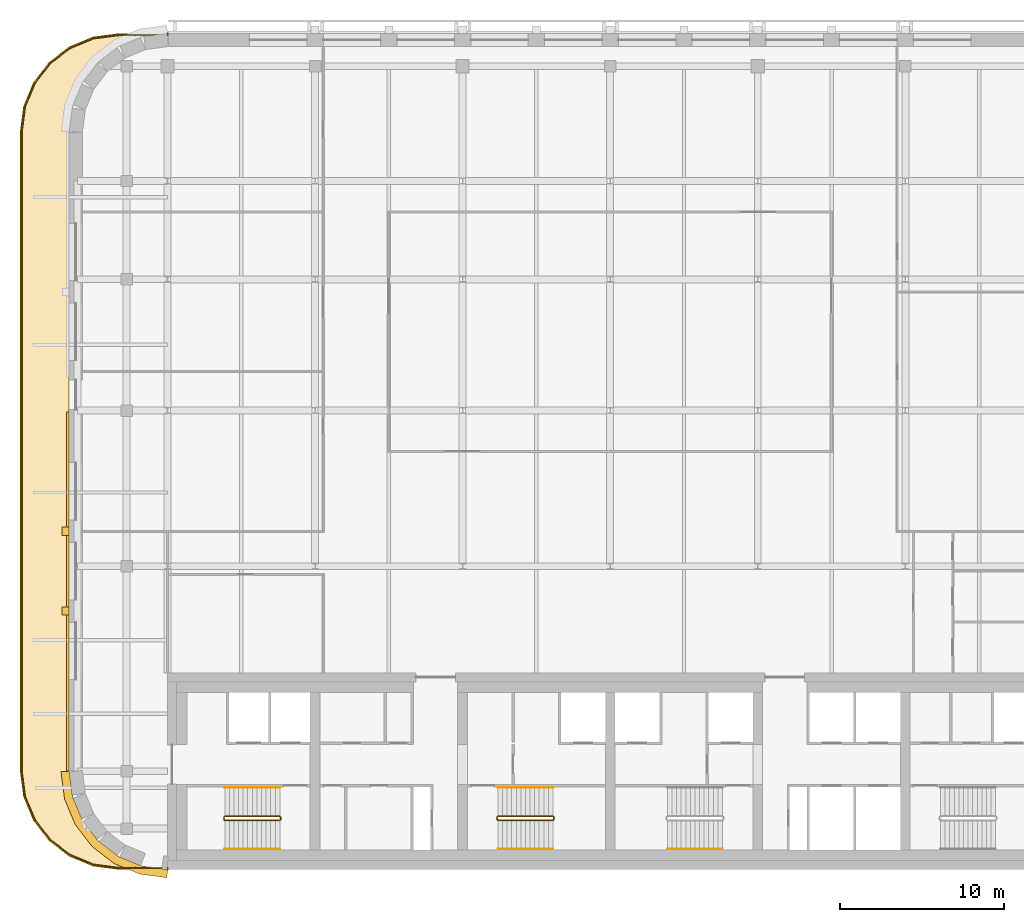
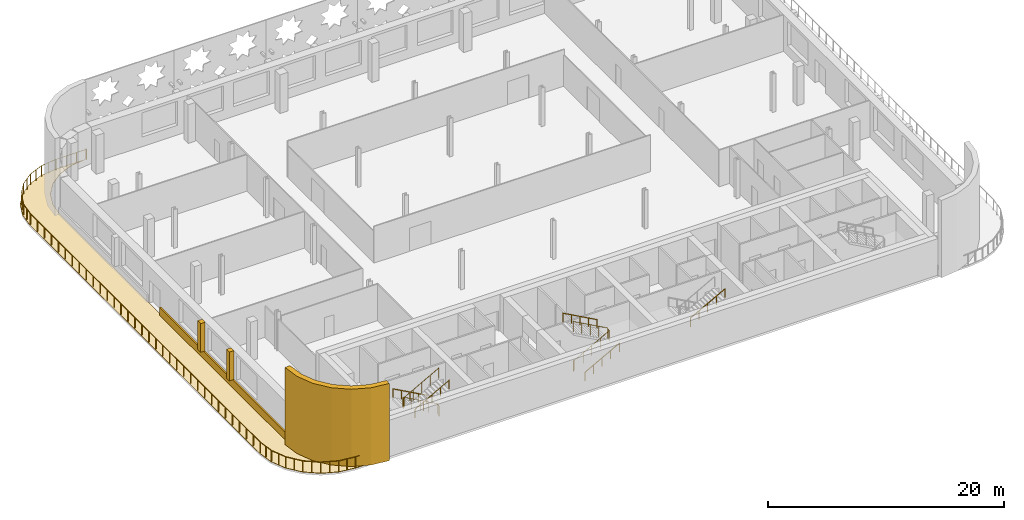
# One storey, part 12 of 15: 8 railings, 5 coverings.
"""IFC4 building model written with IfcOpenShell, lengths in metres."""

from ifc_helpers import new_model, si_unit, direction, frame, origin, origin_2d, place, context, subcontext, project, spatial, polyline, circle, outline, extrude, material, layer, layer_set, type_object, element, save


model = new_model("IFC4")

# Units and contexts
model_context = context("Model", 3, precision=1e-05, world=origin(), true_north=direction((0.0, 1.0)))
body_context = subcontext(model_context, "Body", "Model", "MODEL_VIEW")
ifc_project = project(units=[si_unit("LENGTHUNIT", "METRE"), si_unit("AREAUNIT", "SQUARE_METRE"), si_unit("VOLUMEUNIT", "CUBIC_METRE"), si_unit("PLANEANGLEUNIT", "RADIAN"), si_unit("MASSUNIT", "GRAM", prefix="KILO")], contexts=[model_context])

# Site, building, storey
site_placement = place(None, origin())
site = spatial("IfcSite", under=ifc_project, at=site_placement, CompositionType="ELEMENT")
building_placement = place(site_placement, origin())
building = spatial("IfcBuilding", under=site, at=building_placement, Name="Zellij Exchange Tower", CompositionType="ELEMENT")
storey_placement = place(building_placement, frame((0.0, 0.0, 284.5)))
storey = spatial("IfcBuildingStorey", under=building, at=storey_placement, Name="L67", CompositionType="ELEMENT", Elevation=284.5)

# Railings
ifc_material_1 = material(Name="Stainless steel", Category="steel")
railing_type_1 = type_object("IfcRailingType", Name="CORE-RG stair guard", PredefinedType="GUARDRAIL", material=ifc_material_1)
railing_1_placement = place(storey_placement, frame((-20.10009765625, -10.800048828125, 0.0)))
element("IfcRailing", 1, at=railing_1_placement, inside=storey, type_object=railing_type_1, Name="ST1 stair guard L67", PredefinedType="GUARDRAIL", context=body_context, shape_type="SweptSolid", body=[
    extrude(circle(Radius=0.02392578125, at=origin_2d()), frame((0.0, 0.0, 1.076171875), z_axis=(0.0, -1.0, 0.0), x_axis=(1.0, 0.0, 0.0)), (0.0, 0.0, 1.0), 0.14990234375),
    extrude(circle(Radius=0.02392578125, at=origin_2d()), frame((0.0, -0.14990234375, 1.076171875), z_axis=(-0.193691321961, 0.777613689637, 0.598164376644), x_axis=(-0.970351222016, -0.241699205484, 0.0)), (0.0, 0.0, 1.0), 0.257080078125),
    extrude(circle(Radius=0.02392578125, at=origin_2d()), frame((-0.0498046875, 0.050048828125, 1.22998046875), z_axis=(-0.876421534553, 0.0, 0.481544695509), x_axis=(0.0, -1.0, 0.0)), (0.0, 0.0, 1.0), 3.833984375),
    extrude(circle(Radius=0.02392578125, at=origin_2d()), frame((-3.409912109375, 0.050048828125, 3.076171875), z_axis=(-0.707106781187, -0.707106781187, 0.0), x_axis=(0.707106781187, -0.707106781187, 0.0)), (0.0, 0.0, 1.0), 0.07080078125),
    extrude(circle(Radius=0.02392578125, at=origin_2d()), frame((-3.4599609375, 0.0, 3.076171875), z_axis=(0.0, -1.0, 0.0), x_axis=(1.0, 0.0, 0.0)), (0.0, 0.0, 1.0), 0.14990234375),
    extrude(circle(Radius=0.02392578125, at=origin_2d()), frame((-3.4599609375, -0.14990234375, 3.076171875), z_axis=(0.295599637079, -0.295599637079, 0.908428152975), x_axis=(0.707106781187, 0.707106781187, 0.0)), (0.0, 0.0, 1.0), 0.16943359375),
    extrude(circle(Radius=0.02392578125, at=origin_2d()), frame((-3.409912109375, -0.199951171875, 3.22998046875), z_axis=(0.876421534553, 0.0, 0.481544695509), x_axis=(0.0, 1.0, 0.0)), (0.0, 0.0, 1.0), 3.833984375),
    extrude(circle(Radius=0.02099609375, at=origin_2d()), origin(), (0.0, 0.0, 1.0), 1.052001953125),
    extrude(circle(Radius=0.02099609375, at=origin_2d()), frame((0.0, -0.14990234375, 0.0)), (0.0, 0.0, 1.0), 1.052001953125),
    extrude(circle(Radius=0.02099609375, at=origin_2d()), frame((-0.0498046875, 0.050048828125, 0.15380859375)), (0.0, 0.0, 1.0), 1.052001953125),
    extrude(circle(Radius=0.02099609375, at=origin_2d()), frame((-0.889892578125, 0.050048828125, 0.615234375)), (0.0, 0.0, 1.0), 1.052001953125),
    extrude(circle(Radius=0.02099609375, at=origin_2d()), frame((-1.72998046875, 0.050048828125, 1.076904296875)), (0.0, 0.0, 1.0), 1.052001953125),
    extrude(circle(Radius=0.02099609375, at=origin_2d()), frame((-2.56982421875, 0.050048828125, 1.53857421875)), (0.0, 0.0, 1.0), 1.052001953125),
    extrude(circle(Radius=0.02099609375, at=origin_2d()), frame((-3.409912109375, 0.050048828125, 2.0)), (0.0, 0.0, 1.0), 1.052001953125),
    extrude(circle(Radius=0.02099609375, at=origin_2d()), frame((-3.4599609375, 0.0, 2.0)), (0.0, 0.0, 1.0), 1.052001953125),
    extrude(circle(Radius=0.02099609375, at=origin_2d()), frame((-3.4599609375, -0.14990234375, 2.0)), (0.0, 0.0, 1.0), 1.052001953125),
    extrude(circle(Radius=0.02099609375, at=origin_2d()), frame((-3.409912109375, -0.199951171875, 2.15380859375)), (0.0, 0.0, 1.0), 1.052001953125),
    extrude(circle(Radius=0.02099609375, at=origin_2d()), frame((-2.56982421875, -0.199951171875, 2.615234375)), (0.0, 0.0, 1.0), 1.052001953125),
    extrude(circle(Radius=0.02099609375, at=origin_2d()), frame((-1.72998046875, -0.199951171875, 3.076904296875)), (0.0, 0.0, 1.0), 1.052001953125),
    extrude(circle(Radius=0.02099609375, at=origin_2d()), frame((-0.889892578125, -0.199951171875, 3.53857421875)), (0.0, 0.0, 1.0), 1.052001953125),
    extrude(circle(Radius=0.02099609375, at=origin_2d()), frame((-0.0498046875, -0.199951171875, 4.0)), (0.0, 0.0, 1.0), 1.052001953125),
])
railing_2_placement = place(storey_placement, frame((-6.89990234375, -10.949951171875, 0.0)))
element("IfcRailing", 2, at=railing_2_placement, inside=storey, type_object=railing_type_1, Name="ST2 stair guard L67", PredefinedType="GUARDRAIL", context=body_context, shape_type="SweptSolid", body=[
    extrude(circle(Radius=0.02392578125, at=origin_2d()), frame((0.0, 0.0, 1.076171875), z_axis=(0.0, 1.0, 0.0), x_axis=(-1.0, 0.0, 0.0)), (0.0, 0.0, 1.0), 0.14990234375),
    extrude(circle(Radius=0.02392578125, at=origin_2d()), frame((0.0, 0.14990234375, 1.076171875), z_axis=(0.193691321961, -0.777613689637, 0.598164376644), x_axis=(0.970351222016, 0.241699205484, 0.0)), (0.0, 0.0, 1.0), 0.257080078125),
    extrude(circle(Radius=0.02392578125, at=origin_2d()), frame((0.0498046875, -0.050048828125, 1.22998046875), z_axis=(0.876421534553, 0.0, 0.481544695509), x_axis=(0.0, 1.0, 0.0)), (0.0, 0.0, 1.0), 3.833984375),
    extrude(circle(Radius=0.02392578125, at=origin_2d()), frame((3.409912109375, -0.050048828125, 3.076171875), z_axis=(0.707106781187, 0.707106781187, 0.0), x_axis=(-0.707106781187, 0.707106781187, 0.0)), (0.0, 0.0, 1.0), 0.07080078125),
    extrude(circle(Radius=0.02392578125, at=origin_2d()), frame((3.4599609375, 0.0, 3.076171875), z_axis=(0.0, 1.0, 0.0), x_axis=(-1.0, 0.0, 0.0)), (0.0, 0.0, 1.0), 0.14990234375),
    extrude(circle(Radius=0.02392578125, at=origin_2d()), frame((3.4599609375, 0.14990234375, 3.076171875), z_axis=(-0.295599637079, 0.295599637079, 0.908428152975), x_axis=(-0.707106781187, -0.707106781187, 0.0)), (0.0, 0.0, 1.0), 0.16943359375),
    extrude(circle(Radius=0.02392578125, at=origin_2d()), frame((3.409912109375, 0.199951171875, 3.22998046875), z_axis=(-0.876421534553, 0.0, 0.481544695509), x_axis=(0.0, -1.0, 0.0)), (0.0, 0.0, 1.0), 3.833984375),
    extrude(circle(Radius=0.02099609375, at=origin_2d()), origin(), (0.0, 0.0, 1.0), 1.052001953125),
    extrude(circle(Radius=0.02099609375, at=origin_2d()), frame((0.0, 0.14990234375, 0.0)), (0.0, 0.0, 1.0), 1.052001953125),
    extrude(circle(Radius=0.02099609375, at=origin_2d()), frame((0.0498046875, -0.050048828125, 0.15380859375)), (0.0, 0.0, 1.0), 1.052001953125),
    extrude(circle(Radius=0.02099609375, at=origin_2d()), frame((0.889892578125, -0.050048828125, 0.615234375)), (0.0, 0.0, 1.0), 1.052001953125),
    extrude(circle(Radius=0.02099609375, at=origin_2d()), frame((1.72998046875, -0.050048828125, 1.076904296875)), (0.0, 0.0, 1.0), 1.052001953125),
    extrude(circle(Radius=0.02099609375, at=origin_2d()), frame((2.56982421875, -0.050048828125, 1.53857421875)), (0.0, 0.0, 1.0), 1.052001953125),
    extrude(circle(Radius=0.02099609375, at=origin_2d()), frame((3.409912109375, -0.050048828125, 2.0)), (0.0, 0.0, 1.0), 1.052001953125),
    extrude(circle(Radius=0.02099609375, at=origin_2d()), frame((3.4599609375, 0.0, 2.0)), (0.0, 0.0, 1.0), 1.052001953125),
    extrude(circle(Radius=0.02099609375, at=origin_2d()), frame((3.4599609375, 0.14990234375, 2.0)), (0.0, 0.0, 1.0), 1.052001953125),
    extrude(circle(Radius=0.02099609375, at=origin_2d()), frame((3.409912109375, 0.199951171875, 2.15380859375)), (0.0, 0.0, 1.0), 1.052001953125),
    extrude(circle(Radius=0.02099609375, at=origin_2d()), frame((2.56982421875, 0.199951171875, 2.615234375)), (0.0, 0.0, 1.0), 1.052001953125),
    extrude(circle(Radius=0.02099609375, at=origin_2d()), frame((1.72998046875, 0.199951171875, 3.076904296875)), (0.0, 0.0, 1.0), 1.052001953125),
    extrude(circle(Radius=0.02099609375, at=origin_2d()), frame((0.889892578125, 0.199951171875, 3.53857421875)), (0.0, 0.0, 1.0), 1.052001953125),
    extrude(circle(Radius=0.02099609375, at=origin_2d()), frame((0.0498046875, 0.199951171875, 4.0)), (0.0, 0.0, 1.0), 1.052001953125),
])
railing_type_2 = type_object("IfcRailingType", Name="CORE-RH stair handrail", PredefinedType="HANDRAIL", material=ifc_material_1)
railing_3_placement = place(storey_placement, frame((-20.14990234375, -9.0, 0.15380859375)))
element("IfcRailing", 3, at=railing_3_placement, inside=storey, type_object=railing_type_2, Name="ST1 stair handrail L67", PredefinedType="HANDRAIL", context=body_context, shape_type="SweptSolid", body=[
    extrude(circle(Radius=0.02392578125, at=origin_2d()), frame((0.0, 0.0, 0.8759765625), z_axis=(-0.876421534553, 0.0, 0.481544695509), x_axis=(0.0, -1.0, 0.0)), (0.0, 0.0, 1.0), 3.833984375),
    extrude(circle(Radius=0.02099609375, at=origin_2d()), origin(), (0.0, 0.0, 1.0), 0.851806640625),
    extrude(circle(Radius=0.02099609375, at=origin_2d()), frame((-0.840087890625, 0.0, 0.46142578125)), (0.0, 0.0, 1.0), 0.851806640625),
    extrude(circle(Radius=0.02099609375, at=origin_2d()), frame((-1.68017578125, 0.0, 0.923095703125)), (0.0, 0.0, 1.0), 0.851806640625),
    extrude(circle(Radius=0.02099609375, at=origin_2d()), frame((-2.52001953125, 0.0, 1.384765625)), (0.0, 0.0, 1.0), 0.851806640625),
    extrude(circle(Radius=0.02099609375, at=origin_2d()), frame((-3.360107421875, 0.0, 1.84619140625)), (0.0, 0.0, 1.0), 0.851806640625),
])
for number, where, name in (
    (4, (-23.510009765625, -12.75, 2.15380859375), "ST1 stair handrail L67"),
    (5, (-6.85009765625, -12.75, 0.15380859375), "ST2 stair handrail L67"),
):
    element("IfcRailing", number, at=place(storey_placement, frame(where)), inside=storey, type_object=railing_type_2, Name=name, PredefinedType="HANDRAIL", context=body_context, shape_type="SweptSolid", body=[
        extrude(circle(Radius=0.02392578125, at=origin_2d()), frame((0.0, 0.0, 0.8759765625), z_axis=(0.876421534553, 0.0, 0.481544695509), x_axis=(0.0, 1.0, 0.0)), (0.0, 0.0, 1.0), 3.833984375),
        extrude(circle(Radius=0.02099609375, at=origin_2d()), origin(), (0.0, 0.0, 1.0), 0.851806640625),
        extrude(circle(Radius=0.02099609375, at=origin_2d()), frame((0.840087890625, 0.0, 0.46142578125)), (0.0, 0.0, 1.0), 0.851806640625),
        extrude(circle(Radius=0.02099609375, at=origin_2d()), frame((1.68017578125, 0.0, 0.923095703125)), (0.0, 0.0, 1.0), 0.851806640625),
        extrude(circle(Radius=0.02099609375, at=origin_2d()), frame((2.52001953125, 0.0, 1.384765625)), (0.0, 0.0, 1.0), 0.851806640625),
        extrude(circle(Radius=0.02099609375, at=origin_2d()), frame((3.360107421875, 0.0, 1.84619140625)), (0.0, 0.0, 1.0), 0.851806640625),
    ])
railing_4_placement = place(storey_placement, frame((-3.489990234375, -9.0, 2.15380859375)))
element("IfcRailing", 6, at=railing_4_placement, inside=storey, type_object=railing_type_2, Name="ST2 stair handrail L67", PredefinedType="HANDRAIL", context=body_context, shape_type="SweptSolid", body=[
    extrude(circle(Radius=0.02392578125, at=origin_2d()), frame((0.0, 0.0, 0.8759765625), z_axis=(-0.876421534553, 0.0, 0.481544695509), x_axis=(0.0, -1.0, 0.0)), (0.0, 0.0, 1.0), 3.833984375),
    extrude(circle(Radius=0.02099609375, at=origin_2d()), origin(), (0.0, 0.0, 1.0), 0.851806640625),
    extrude(circle(Radius=0.02099609375, at=origin_2d()), frame((-0.840087890625, 0.0, 0.46142578125)), (0.0, 0.0, 1.0), 0.851806640625),
    extrude(circle(Radius=0.02099609375, at=origin_2d()), frame((-1.68017578125, 0.0, 0.923095703125)), (0.0, 0.0, 1.0), 0.851806640625),
    extrude(circle(Radius=0.02099609375, at=origin_2d()), frame((-2.52001953125, 0.0, 1.384765625)), (0.0, 0.0, 1.0), 0.851806640625),
    extrude(circle(Radius=0.02099609375, at=origin_2d()), frame((-3.360107421875, 0.0, 1.84619140625)), (0.0, 0.0, 1.0), 0.851806640625),
])
railing_5_placement = place(storey_placement, frame((3.489990234375, -12.75, 2.15380859375)))
element("IfcRailing", 7, at=railing_5_placement, inside=storey, type_object=railing_type_2, Name="ST3 stair handrail L67", PredefinedType="HANDRAIL", context=body_context, shape_type="SweptSolid", body=[
    extrude(circle(Radius=0.02392578125, at=origin_2d()), frame((0.0, 0.0, 0.8759765625), z_axis=(0.876421534553, 0.0, 0.481544695509), x_axis=(0.0, 1.0, 0.0)), (0.0, 0.0, 1.0), 3.833984375),
    extrude(circle(Radius=0.02099609375, at=origin_2d()), origin(), (0.0, 0.0, 1.0), 0.851806640625),
    extrude(circle(Radius=0.02099609375, at=origin_2d()), frame((0.840087890625, 0.0, 0.46142578125)), (0.0, 0.0, 1.0), 0.851806640625),
    extrude(circle(Radius=0.02099609375, at=origin_2d()), frame((1.68017578125, 0.0, 0.923095703125)), (0.0, 0.0, 1.0), 0.851806640625),
    extrude(circle(Radius=0.02099609375, at=origin_2d()), frame((2.52001953125, 0.0, 1.384765625)), (0.0, 0.0, 1.0), 0.851806640625),
    extrude(circle(Radius=0.02099609375, at=origin_2d()), frame((3.360107421875, 0.0, 1.84619140625)), (0.0, 0.0, 1.0), 0.851806640625),
])

# Coverings
ifc_material_2 = material(Name="Limestone cladding", Category="masonry")
ifc_layer_1 = layer(ifc_material_2, 0.14990234375)
ifc_layer_set_1 = layer_set([ifc_layer_1], Name="Limestone cladding")
covering_type_1 = type_object("IfcCoveringType", Name="ENV-CV1 Stone spandrel band 150", PredefinedType="CLADDING", material=ifc_layer_set_1)
covering_1_placement = place(storey_placement, origin())
element("IfcCovering", 8, at=covering_1_placement, inside=storey, type_object=covering_type_1, Name="Stone spandrel band", PredefinedType="CLADDING", context=body_context, shape_type="SweptSolid", body=[
    extrude(outline(polyline([(-33.0, 13.91845703125), (-33.0, -7.973876953125), (-33.14990234375, -7.983642578125), (-33.14990234375, 13.91845703125), (-33.0, 13.91845703125)])), origin(), (0.0, 0.0, 1.0), 0.800048828125),
])
ifc_layer_2 = layer(ifc_material_2, 0.5)
ifc_layer_set_2 = layer_set([ifc_layer_2], Name="Limestone cladding")
covering_type_2 = type_object("IfcCoveringType", Name="ENV-CV12 Stone corner pier 500", PredefinedType="CLADDING", material=ifc_layer_set_2)
covering_2_placement = place(storey_placement, origin())
element("IfcCovering", 9, at=covering_2_placement, inside=storey, type_object=covering_type_2, Name="Stone corner pier", PredefinedType="CLADDING", context=body_context, shape_type="SweptSolid", body=[
    extrude(outline(polyline([(-33.0, -8.0), (-32.795654296875, -9.552978515625), (-32.1962890625, -11.0), (-31.24267578125, -12.24267578125), (-30.0, -13.1962890625), (-28.552978515625, -13.795654296875), (-27.0, -14.0), (-27.03271484375, -14.5), (-28.683349609375, -14.28271484375), (-30.252197265625, -13.6328125), (-31.59912109375, -12.59912109375), (-32.6328125, -11.252197265625), (-33.28271484375, -9.683349609375), (-33.5, -8.03271484375), (-33.0, -8.0)])), origin(), (0.0, 0.0, 1.0), 8.0),
])
covering_type_3 = type_object("IfcCoveringType", Name="ENV-CV4 Stone pier 500x450", PredefinedType="CLADDING", material=ifc_material_2)
covering_3_placement = place(storey_placement, frame((0.0, 0.0, 0.800048828125)))
element("IfcCovering", 10, at=covering_3_placement, inside=storey, type_object=covering_type_3, Name="Stone pier", PredefinedType="CLADDING", context=body_context, shape_type="SweptSolid", body=[
    extrude(outline(polyline([(-33.0, 6.881591796875), (-33.0, 6.381591796875), (-33.449951171875, 6.381591796875), (-33.449951171875, 6.881591796875), (-33.0, 6.881591796875)])), origin(), (0.0, 0.0, 1.0), 2.97998046875),
])
covering_4_placement = place(storey_placement, frame((0.0, 0.0, 0.800048828125)))
element("IfcCovering", 11, at=covering_4_placement, inside=storey, type_object=covering_type_3, Name="Stone pier", PredefinedType="CLADDING", context=body_context, shape_type="SweptSolid", body=[
    extrude(outline(polyline([(-33.0, 2.01318359375), (-33.0, 1.51318359375), (-33.449951171875, 1.51318359375), (-33.449951171875, 2.01318359375), (-33.0, 2.01318359375)])), origin(), (0.0, 0.0, 1.0), 2.97998046875),
])

# Railing
ifc_material_3 = material(Name="Bronze-finished aluminium", Category="aluminium")
railing_type_3 = type_object("IfcRailingType", Name="ENV-GR1 Terrace guard", PredefinedType="GUARDRAIL", material=ifc_material_3)
railing_6_placement = place(storey_placement, frame((-27.000732421875, 37.0, 0.0)))
element("IfcRailing", 12, at=railing_6_placement, inside=storey, type_object=railing_type_3, Name="Terrace guard", PredefinedType="GUARDRAIL", context=body_context, shape_type="SweptSolid", body=[
    extrude(circle(Radius=0.02490234375, at=origin_2d()), frame((0.0, 0.0, 1.0751953125), z_axis=(0.0, -1.0, 0.0), x_axis=(1.0, 0.0, 0.0)), (0.0, 0.0, 1.0), 0.10009765625),
    extrude(circle(Radius=0.02490234375, at=origin_2d()), frame((0.0, -0.10009765625, 1.0751953125), z_axis=(-1.0, 0.0, 0.0), x_axis=(0.0, -1.0, 0.0)), (0.0, 0.0, 1.0), 2.99267578125),
    extrude(circle(Radius=0.02490234375, at=origin_2d()), frame((-2.99267578125, -0.10009765625, 1.0751953125), z_axis=(-0.991463426777, -0.130385096405, 0.0), x_axis=(0.130385096405, -0.991463426777, 0.0)), (0.0, 0.0, 1.0), 1.546630859375),
    extrude(circle(Radius=0.02490234375, at=origin_2d()), frame((-4.526123046875, -0.3017578125, 1.0751953125), z_axis=(-0.923881586142, -0.382678474425, 0.0), x_axis=(0.382678474425, -0.923881586142, 0.0)), (0.0, 0.0, 1.0), 1.5400390625),
    extrude(circle(Radius=0.02490234375, at=origin_2d()), frame((-5.948974609375, -0.89111328125, 1.0751953125), z_axis=(-0.793330694412, -0.608790940556, 0.0), x_axis=(0.608790940556, -0.793330694412, 0.0)), (0.0, 0.0, 1.0), 1.5400390625),
    extrude(circle(Radius=0.02490234375, at=origin_2d()), frame((-7.170654296875, -1.82861328125, 1.0751953125), z_axis=(-0.608790940556, -0.793330694412, 0.0), x_axis=(0.793330694412, -0.608790940556, 0.0)), (0.0, 0.0, 1.0), 1.5400390625),
    extrude(circle(Radius=0.02490234375, at=origin_2d()), frame((-8.108154296875, -3.05029296875, 1.0751953125), z_axis=(-0.382678474425, -0.923881586142, 0.0), x_axis=(0.923881586142, -0.382678474425, 0.0)), (0.0, 0.0, 1.0), 1.5400390625),
    extrude(circle(Radius=0.02490234375, at=origin_2d()), frame((-8.697509765625, -4.47314453125, 1.0751953125), z_axis=(-0.130385096405, -0.991463426777, 0.0), x_axis=(0.991463426777, -0.130385096405, 0.0)), (0.0, 0.0, 1.0), 1.546630859375),
    extrude(circle(Radius=0.02490234375, at=origin_2d()), frame((-8.899169921875, -6.006591796875, 1.0751953125), z_axis=(0.0, -1.0, 0.0), x_axis=(1.0, 0.0, 0.0)), (0.0, 0.0, 1.0), 38.98681640625),
    extrude(circle(Radius=0.02490234375, at=origin_2d()), frame((-8.899169921875, -44.993408203125, 1.0751953125), z_axis=(0.130385096405, -0.991463426777, 0.0), x_axis=(0.991463426777, 0.130385096405, 0.0)), (0.0, 0.0, 1.0), 1.546630859375),
    extrude(circle(Radius=0.02490234375, at=origin_2d()), frame((-8.697509765625, -46.52685546875, 1.0751953125), z_axis=(0.382678474425, -0.923881586142, 0.0), x_axis=(0.923881586142, 0.382678474425, 0.0)), (0.0, 0.0, 1.0), 1.5400390625),
    extrude(circle(Radius=0.02490234375, at=origin_2d()), frame((-8.108154296875, -47.94970703125, 1.0751953125), z_axis=(0.608790940556, -0.793330694412, 0.0), x_axis=(0.793330694412, 0.608790940556, 0.0)), (0.0, 0.0, 1.0), 1.5400390625),
    extrude(circle(Radius=0.02490234375, at=origin_2d()), frame((-7.170654296875, -49.17138671875, 1.0751953125), z_axis=(0.793330694412, -0.608790940556, 0.0), x_axis=(0.608790940556, 0.793330694412, 0.0)), (0.0, 0.0, 1.0), 1.5400390625),
    extrude(circle(Radius=0.02490234375, at=origin_2d()), frame((-5.948974609375, -50.10888671875, 1.0751953125), z_axis=(0.923881586142, -0.382678474425, 0.0), x_axis=(0.382678474425, 0.923881586142, 0.0)), (0.0, 0.0, 1.0), 1.5400390625),
    extrude(circle(Radius=0.02490234375, at=origin_2d()), frame((-4.526123046875, -50.6982421875, 1.0751953125), z_axis=(0.991463426777, -0.130385096405, 0.0), x_axis=(0.130385096405, 0.991463426777, 0.0)), (0.0, 0.0, 1.0), 1.546630859375),
    extrude(circle(Radius=0.02490234375, at=origin_2d()), frame((-2.99267578125, -50.89990234375, 1.0751953125), z_axis=(1.0, 0.0, 0.0), x_axis=(0.0, 1.0, 0.0)), (0.0, 0.0, 1.0), 2.99267578125),
    extrude(circle(Radius=0.02490234375, at=origin_2d()), frame((0.0, -50.89990234375, 1.0751953125), z_axis=(0.0, -1.0, 0.0), x_axis=(1.0, 0.0, 0.0)), (0.0, 0.0, 1.0), 0.10009765625),
    extrude(circle(Radius=0.030029296875, at=origin_2d()), origin(), (0.0, 0.0, 1.0), 1.050048828125),
    extrude(circle(Radius=0.030029296875, at=origin_2d()), frame((0.0, -0.10009765625, 0.0)), (0.0, 0.0, 1.0), 1.050048828125),
    extrude(circle(Radius=0.030029296875, at=origin_2d()), frame((-0.99755859375, -0.10009765625, 0.0)), (0.0, 0.0, 1.0), 1.050048828125),
    extrude(circle(Radius=0.030029296875, at=origin_2d()), frame((-1.9951171875, -0.10009765625, 0.0)), (0.0, 0.0, 1.0), 1.050048828125),
    extrude(circle(Radius=0.030029296875, at=origin_2d()), frame((-2.99267578125, -0.10009765625, 0.0)), (0.0, 0.0, 1.0), 1.050048828125),
    extrude(circle(Radius=0.030029296875, at=origin_2d()), frame((-3.75927734375, -0.200927734375, 0.0)), (0.0, 0.0, 1.0), 1.050048828125),
    extrude(circle(Radius=0.030029296875, at=origin_2d()), frame((-4.526123046875, -0.3017578125, 0.0)), (0.0, 0.0, 1.0), 1.050048828125),
    extrude(circle(Radius=0.030029296875, at=origin_2d()), frame((-5.237548828125, -0.596435546875, 0.0)), (0.0, 0.0, 1.0), 1.050048828125),
    extrude(circle(Radius=0.030029296875, at=origin_2d()), frame((-5.948974609375, -0.89111328125, 0.0)), (0.0, 0.0, 1.0), 1.050048828125),
    extrude(circle(Radius=0.030029296875, at=origin_2d()), frame((-6.559814453125, -1.35986328125, 0.0)), (0.0, 0.0, 1.0), 1.050048828125),
    extrude(circle(Radius=0.030029296875, at=origin_2d()), frame((-7.170654296875, -1.82861328125, 0.0)), (0.0, 0.0, 1.0), 1.050048828125),
    extrude(circle(Radius=0.030029296875, at=origin_2d()), frame((-7.639404296875, -2.439453125, 0.0)), (0.0, 0.0, 1.0), 1.050048828125),
    extrude(circle(Radius=0.030029296875, at=origin_2d()), frame((-8.108154296875, -3.05029296875, 0.0)), (0.0, 0.0, 1.0), 1.050048828125),
    extrude(circle(Radius=0.030029296875, at=origin_2d()), frame((-8.40283203125, -3.76171875, 0.0)), (0.0, 0.0, 1.0), 1.050048828125),
    extrude(circle(Radius=0.030029296875, at=origin_2d()), frame((-8.697509765625, -4.47314453125, 0.0)), (0.0, 0.0, 1.0), 1.050048828125),
    extrude(circle(Radius=0.030029296875, at=origin_2d()), frame((-8.79833984375, -5.23974609375, 0.0)), (0.0, 0.0, 1.0), 1.050048828125),
    extrude(circle(Radius=0.030029296875, at=origin_2d()), frame((-8.899169921875, -6.006591796875, 0.0)), (0.0, 0.0, 1.0), 1.050048828125),
    extrude(circle(Radius=0.030029296875, at=origin_2d()), frame((-8.899169921875, -7.18798828125, 0.0)), (0.0, 0.0, 1.0), 1.050048828125),
    extrude(circle(Radius=0.030029296875, at=origin_2d()), frame((-8.899169921875, -8.369384765625, 0.0)), (0.0, 0.0, 1.0), 1.050048828125),
    extrude(circle(Radius=0.030029296875, at=origin_2d()), frame((-8.899169921875, -9.55078125, 0.0)), (0.0, 0.0, 1.0), 1.050048828125),
    extrude(circle(Radius=0.030029296875, at=origin_2d()), frame((-8.899169921875, -10.732177734375, 0.0)), (0.0, 0.0, 1.0), 1.050048828125),
    extrude(circle(Radius=0.030029296875, at=origin_2d()), frame((-8.899169921875, -11.91357421875, 0.0)), (0.0, 0.0, 1.0), 1.050048828125),
    extrude(circle(Radius=0.030029296875, at=origin_2d()), frame((-8.899169921875, -13.09521484375, 0.0)), (0.0, 0.0, 1.0), 1.050048828125),
    extrude(circle(Radius=0.030029296875, at=origin_2d()), frame((-8.899169921875, -14.276611328125, 0.0)), (0.0, 0.0, 1.0), 1.050048828125),
    extrude(circle(Radius=0.030029296875, at=origin_2d()), frame((-8.899169921875, -15.4580078125, 0.0)), (0.0, 0.0, 1.0), 1.050048828125),
    extrude(circle(Radius=0.030029296875, at=origin_2d()), frame((-8.899169921875, -16.639404296875, 0.0)), (0.0, 0.0, 1.0), 1.050048828125),
    extrude(circle(Radius=0.030029296875, at=origin_2d()), frame((-8.899169921875, -17.82080078125, 0.0)), (0.0, 0.0, 1.0), 1.050048828125),
    extrude(circle(Radius=0.030029296875, at=origin_2d()), frame((-8.899169921875, -19.002197265625, 0.0)), (0.0, 0.0, 1.0), 1.050048828125),
    extrude(circle(Radius=0.030029296875, at=origin_2d()), frame((-8.899169921875, -20.18359375, 0.0)), (0.0, 0.0, 1.0), 1.050048828125),
    extrude(circle(Radius=0.030029296875, at=origin_2d()), frame((-8.899169921875, -21.364990234375, 0.0)), (0.0, 0.0, 1.0), 1.050048828125),
    extrude(circle(Radius=0.030029296875, at=origin_2d()), frame((-8.899169921875, -22.54638671875, 0.0)), (0.0, 0.0, 1.0), 1.050048828125),
    extrude(circle(Radius=0.030029296875, at=origin_2d()), frame((-8.899169921875, -23.727783203125, 0.0)), (0.0, 0.0, 1.0), 1.050048828125),
    extrude(circle(Radius=0.030029296875, at=origin_2d()), frame((-8.899169921875, -24.9091796875, 0.0)), (0.0, 0.0, 1.0), 1.050048828125),
    extrude(circle(Radius=0.030029296875, at=origin_2d()), frame((-8.899169921875, -26.0908203125, 0.0)), (0.0, 0.0, 1.0), 1.050048828125),
    extrude(circle(Radius=0.030029296875, at=origin_2d()), frame((-8.899169921875, -27.272216796875, 0.0)), (0.0, 0.0, 1.0), 1.050048828125),
    extrude(circle(Radius=0.030029296875, at=origin_2d()), frame((-8.899169921875, -28.45361328125, 0.0)), (0.0, 0.0, 1.0), 1.050048828125),
    extrude(circle(Radius=0.030029296875, at=origin_2d()), frame((-8.899169921875, -29.635009765625, 0.0)), (0.0, 0.0, 1.0), 1.050048828125),
    extrude(circle(Radius=0.030029296875, at=origin_2d()), frame((-8.899169921875, -30.81640625, 0.0)), (0.0, 0.0, 1.0), 1.050048828125),
    extrude(circle(Radius=0.030029296875, at=origin_2d()), frame((-8.899169921875, -31.997802734375, 0.0)), (0.0, 0.0, 1.0), 1.050048828125),
    extrude(circle(Radius=0.030029296875, at=origin_2d()), frame((-8.899169921875, -33.17919921875, 0.0)), (0.0, 0.0, 1.0), 1.050048828125),
    extrude(circle(Radius=0.030029296875, at=origin_2d()), frame((-8.899169921875, -34.360595703125, 0.0)), (0.0, 0.0, 1.0), 1.050048828125),
    extrude(circle(Radius=0.030029296875, at=origin_2d()), frame((-8.899169921875, -35.5419921875, 0.0)), (0.0, 0.0, 1.0), 1.050048828125),
    extrude(circle(Radius=0.030029296875, at=origin_2d()), frame((-8.899169921875, -36.723388671875, 0.0)), (0.0, 0.0, 1.0), 1.050048828125),
    extrude(circle(Radius=0.030029296875, at=origin_2d()), frame((-8.899169921875, -37.90478515625, 0.0)), (0.0, 0.0, 1.0), 1.050048828125),
    extrude(circle(Radius=0.030029296875, at=origin_2d()), frame((-8.899169921875, -39.08642578125, 0.0)), (0.0, 0.0, 1.0), 1.050048828125),
    extrude(circle(Radius=0.030029296875, at=origin_2d()), frame((-8.899169921875, -40.267822265625, 0.0)), (0.0, 0.0, 1.0), 1.050048828125),
    extrude(circle(Radius=0.030029296875, at=origin_2d()), frame((-8.899169921875, -41.44921875, 0.0)), (0.0, 0.0, 1.0), 1.050048828125),
    extrude(circle(Radius=0.030029296875, at=origin_2d()), frame((-8.899169921875, -42.630615234375, 0.0)), (0.0, 0.0, 1.0), 1.050048828125),
    extrude(circle(Radius=0.030029296875, at=origin_2d()), frame((-8.899169921875, -43.81201171875, 0.0)), (0.0, 0.0, 1.0), 1.050048828125),
    extrude(circle(Radius=0.030029296875, at=origin_2d()), frame((-8.899169921875, -44.993408203125, 0.0)), (0.0, 0.0, 1.0), 1.050048828125),
    extrude(circle(Radius=0.030029296875, at=origin_2d()), frame((-8.79833984375, -45.76025390625, 0.0)), (0.0, 0.0, 1.0), 1.050048828125),
    extrude(circle(Radius=0.030029296875, at=origin_2d()), frame((-8.697509765625, -46.52685546875, 0.0)), (0.0, 0.0, 1.0), 1.050048828125),
    extrude(circle(Radius=0.030029296875, at=origin_2d()), frame((-8.40283203125, -47.23828125, 0.0)), (0.0, 0.0, 1.0), 1.050048828125),
    extrude(circle(Radius=0.030029296875, at=origin_2d()), frame((-8.108154296875, -47.94970703125, 0.0)), (0.0, 0.0, 1.0), 1.050048828125),
    extrude(circle(Radius=0.030029296875, at=origin_2d()), frame((-7.639404296875, -48.560546875, 0.0)), (0.0, 0.0, 1.0), 1.050048828125),
    extrude(circle(Radius=0.030029296875, at=origin_2d()), frame((-7.170654296875, -49.17138671875, 0.0)), (0.0, 0.0, 1.0), 1.050048828125),
    extrude(circle(Radius=0.030029296875, at=origin_2d()), frame((-6.559814453125, -49.64013671875, 0.0)), (0.0, 0.0, 1.0), 1.050048828125),
    extrude(circle(Radius=0.030029296875, at=origin_2d()), frame((-5.948974609375, -50.10888671875, 0.0)), (0.0, 0.0, 1.0), 1.050048828125),
    extrude(circle(Radius=0.030029296875, at=origin_2d()), frame((-5.237548828125, -50.403564453125, 0.0)), (0.0, 0.0, 1.0), 1.050048828125),
    extrude(circle(Radius=0.030029296875, at=origin_2d()), frame((-4.526123046875, -50.6982421875, 0.0)), (0.0, 0.0, 1.0), 1.050048828125),
    extrude(circle(Radius=0.030029296875, at=origin_2d()), frame((-3.75927734375, -50.799072265625, 0.0)), (0.0, 0.0, 1.0), 1.050048828125),
    extrude(circle(Radius=0.030029296875, at=origin_2d()), frame((-2.99267578125, -50.89990234375, 0.0)), (0.0, 0.0, 1.0), 1.050048828125),
    extrude(circle(Radius=0.030029296875, at=origin_2d()), frame((-1.9951171875, -50.89990234375, 0.0)), (0.0, 0.0, 1.0), 1.050048828125),
    extrude(circle(Radius=0.030029296875, at=origin_2d()), frame((-0.99755859375, -50.89990234375, 0.0)), (0.0, 0.0, 1.0), 1.050048828125),
    extrude(circle(Radius=0.030029296875, at=origin_2d()), frame((0.0, -50.89990234375, 0.0)), (0.0, 0.0, 1.0), 1.050048828125),
    extrude(circle(Radius=0.030029296875, at=origin_2d()), frame((0.0, -51.0, 0.0)), (0.0, 0.0, 1.0), 1.050048828125),
])

# Covering
ifc_material_4 = material(Name="Limestone paving", Category="masonry")
ifc_layer_3 = layer(ifc_material_4, 0.0400390625)
ifc_layer_set_3 = layer_set([ifc_layer_3], Name="Limestone paving")
covering_type_4 = type_object("IfcCoveringType", Name="ENV-PV2 Terrace paving 40", PredefinedType="FLOORING", material=ifc_layer_set_3)
covering_5_placement = place(storey_placement, frame((0.0, 0.0, -0.0400390625)))
element("IfcCovering", 13, at=covering_5_placement, inside=storey, type_object=covering_type_4, Name="Terrace paving", PredefinedType="FLOORING", context=body_context, shape_type="SweptSolid", body=[
    extrude(outline(polyline([(-31.24267578125, -12.24267578125), (-32.1962890625, -11.0), (-32.795654296875, -9.552978515625), (-33.0, -8.0), (-33.0, 31.0), (-32.795654296875, 32.552978515625), (-32.1962890625, 34.0), (-31.24267578125, 35.24267578125), (-30.0, 36.1962890625), (-28.552978515625, 36.795654296875), (-27.0, 37.0), (-30.0, 37.0), (-31.552978515625, 36.795654296875), (-33.0, 36.1962890625), (-34.24267578125, 35.24267578125), (-35.1962890625, 34.0), (-35.795654296875, 32.552978515625), (-36.0, 31.0), (-36.0, -8.0), (-35.795654296875, -9.552978515625), (-35.1962890625, -11.0), (-34.24267578125, -12.24267578125), (-33.0, -13.1962890625), (-31.552978515625, -13.795654296875), (-30.0, -14.0), (-27.0, -14.0), (-28.552978515625, -13.795654296875), (-30.0, -13.1962890625), (-31.24267578125, -12.24267578125)])), origin(), (0.0, 0.0, 1.0), 0.0400390625),
])

save(model, "model.ifc")
